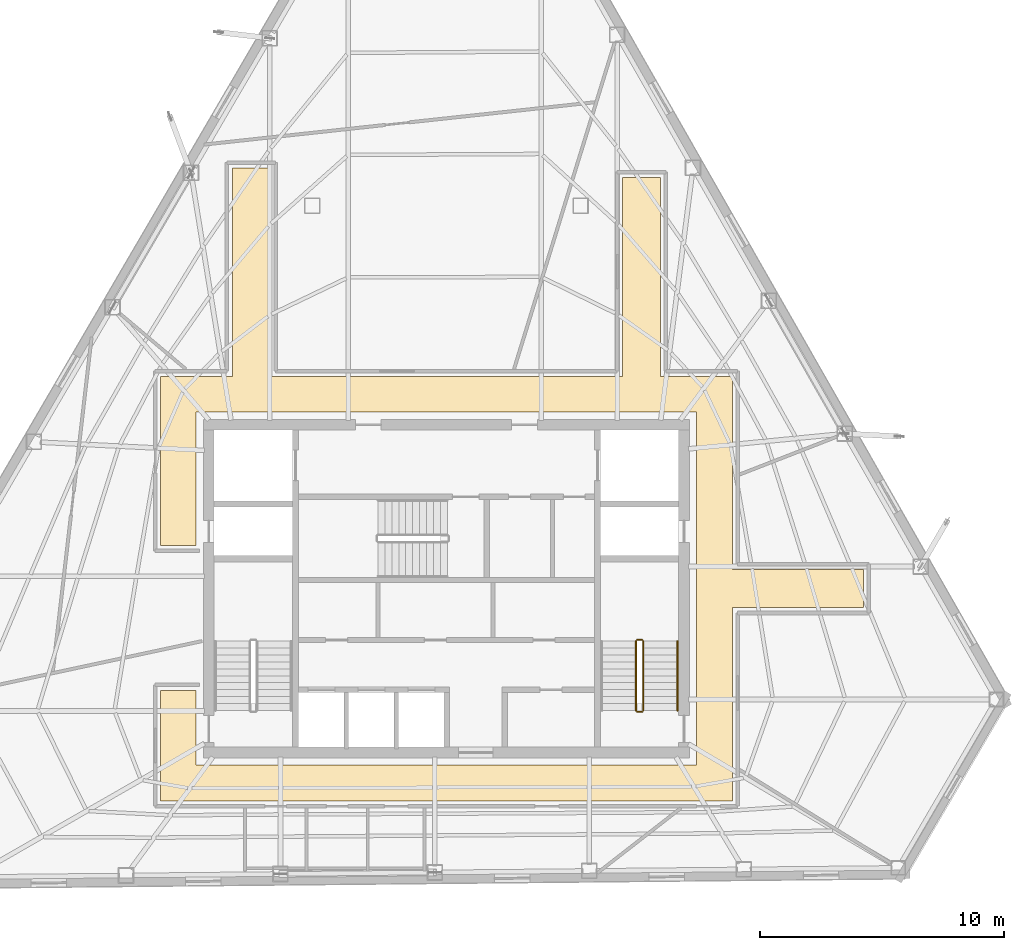
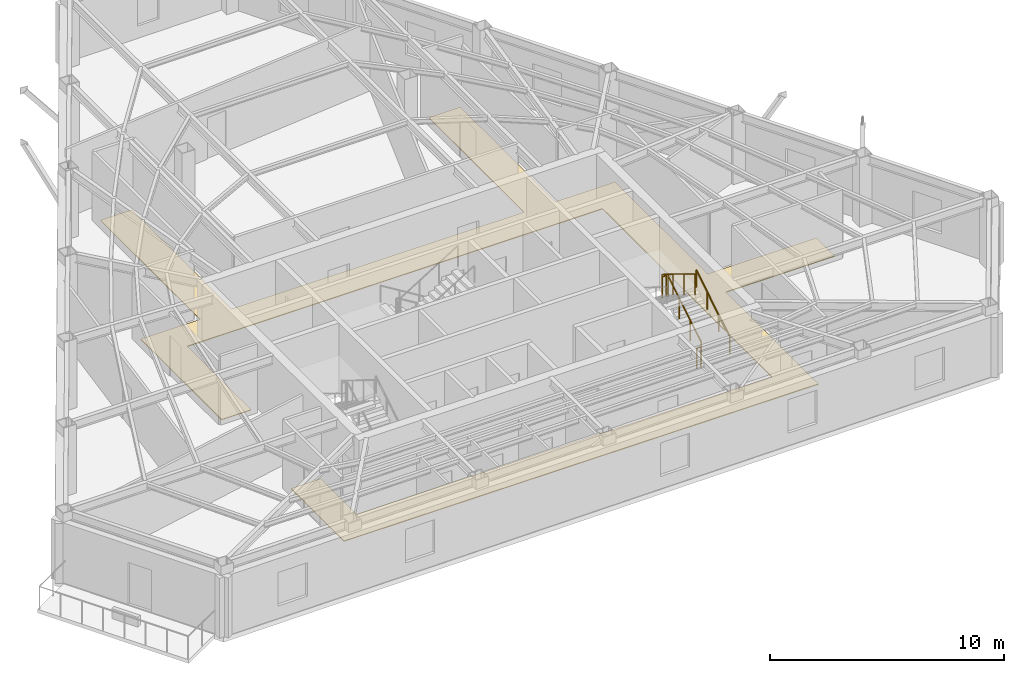
# One storey, part 11 of 11: 5 railings, 1 covering.
"""IFC4 building model written with IfcOpenShell, lengths in metres."""

from ifc_helpers import new_model, si_unit, direction, frame, origin, origin_2d, place, context, subcontext, project, spatial, polyline, circle, outline, extrude, material, layer, layer_set, type_object, element, save


model = new_model("IFC4")

# Units and contexts
model_context = context("Model", 3, precision=1e-05, world=origin(), true_north=direction((0.0, 1.0)))
body_context = subcontext(model_context, "Body", "Model", "MODEL_VIEW")
ifc_project = project(units=[si_unit("LENGTHUNIT", "METRE"), si_unit("AREAUNIT", "SQUARE_METRE"), si_unit("VOLUMEUNIT", "CUBIC_METRE"), si_unit("PLANEANGLEUNIT", "RADIAN"), si_unit("MASSUNIT", "GRAM", prefix="KILO")], contexts=[model_context])

# Site, building, storey
site_placement = place(None, origin())
site = spatial("IfcSite", under=ifc_project, at=site_placement, CompositionType="ELEMENT")
building_placement = place(site_placement, origin())
building = spatial("IfcBuilding", under=site, at=building_placement, Name="Kavelnor Concourse Tower", CompositionType="ELEMENT")
storey_placement = place(building_placement, frame((0.0, 0.0, 218.89990234375)))
storey = spatial("IfcBuildingStorey", under=building, at=storey_placement, Name="L55", CompositionType="ELEMENT", Elevation=218.89990234375)

# Covering
ifc_material_1 = material(Name="Honed bluestone and raised access floor finish", Category="masonry")
ifc_layer = layer(ifc_material_1, 0.0400390625, Name="Honed bluestone and raised access floor finish")
ifc_layer_set = layer_set([ifc_layer], Name="Honed bluestone and raised access floor finish")
covering_type = type_object("IfcCoveringType", Name="COV-FLOOR-STONE", PredefinedType="FLOORING", material=ifc_layer_set)
covering_placement = place(storey_placement, frame((0.0, 0.0, 0.002197265625)))
element("IfcCovering", 1, at=covering_placement, inside=storey, type_object=covering_type, Name="L55 Honed Bluestone Floor Finish", PredefinedType="FLOORING", context=body_context, shape_type="SweptSolid", body=[
    extrude(outline(polyline([(29.219970703125, 24.800048828125), (29.219970703125, 33.341552734375), (30.780029296875, 33.341552734375), (30.780029296875, 24.800048828125), (45.219970703125, 24.800048828125), (45.219970703125, 32.95361328125), (46.780029296875, 32.95361328125), (46.780029296875, 24.800048828125), (49.719970703125, 24.800048828125), (49.719970703125, 16.8798828125), (55.09521484375, 16.8798828125), (55.09521484375, 15.320068359375), (49.719970703125, 15.320068359375), (49.719970703125, 7.39990234375), (26.280029296875, 7.39990234375), (26.280029296875, 11.929931640625), (27.739990234375, 11.929931640625), (27.739990234375, 8.860107421875), (48.260009765625, 8.860107421875), (48.260009765625, 23.340087890625), (27.739990234375, 23.340087890625), (27.739990234375, 17.8701171875), (26.280029296875, 17.8701171875), (26.280029296875, 24.800048828125), (29.219970703125, 24.800048828125)])), origin(), (0.0, 0.0, 1.0), 0.039794921875),
])

# Railings
ifc_material_2 = material(Name="Steel Grade 350", Category="steel")
railing_type_1 = type_object("IfcRailingType", Name="RLG-GUARD-1100", PredefinedType="GUARDRAIL", material=ifc_material_2)
railing_1_placement = place(storey_placement, frame((46.070068359375, 11.10009765625, 0.175048828125)))
element("IfcRailing", 2, at=railing_1_placement, inside=storey, type_object=railing_type_1, Name="L55 ST2 stair guard 1", PredefinedType="GUARDRAIL", context=body_context, shape_type="SweptSolid", body=[
    extrude(circle(Radius=0.02392578125, at=origin_2d()), frame((0.0, 0.0, 1.076171875), z_axis=(0.0, 0.852159232446, 0.523282564737), x_axis=(-1.0, 0.0, 0.0)), (0.0, 0.0, 1.0), 3.34423828125),
    extrude(circle(Radius=0.02099609375, at=origin_2d()), origin(), (0.0, 0.0, 1.0), 1.052001953125),
    extrude(circle(Radius=0.02099609375, at=origin_2d()), frame((0.0, 0.949951171875, 0.583251953125)), (0.0, 0.0, 1.0), 1.052001953125),
    extrude(circle(Radius=0.02099609375, at=origin_2d()), frame((0.0, 1.89990234375, 1.166748046875)), (0.0, 0.0, 1.0), 1.052001953125),
    extrude(circle(Radius=0.02099609375, at=origin_2d()), frame((0.0, 2.849853515625, 1.75)), (0.0, 0.0, 1.0), 1.052001953125),
])
railing_2_placement = place(storey_placement, frame((46.02001953125, 14.0, 1.925048828125)))
element("IfcRailing", 3, at=railing_2_placement, inside=storey, type_object=railing_type_1, Name="L55 ST2 stair guard 2", PredefinedType="GUARDRAIL", context=body_context, shape_type="SweptSolid", body=[
    extrude(circle(Radius=0.02392578125, at=origin_2d()), frame((0.0, 0.0, 1.076171875), z_axis=(-1.0, 0.0, 0.0), x_axis=(0.0, -1.0, 0.0)), (0.0, 0.0, 1.0), 0.199951171875),
    extrude(circle(Radius=0.02099609375, at=origin_2d()), origin(), (0.0, 0.0, 1.0), 1.052001953125),
    extrude(circle(Radius=0.02099609375, at=origin_2d()), frame((-0.199951171875, 0.0, 0.0)), (0.0, 0.0, 1.0), 1.052001953125),
])
railing_3_placement = place(storey_placement, frame((45.77001953125, 13.949951171875, 2.10009765625)))
element("IfcRailing", 4, at=railing_3_placement, inside=storey, type_object=railing_type_1, Name="L55 ST2 stair guard 3", PredefinedType="GUARDRAIL", context=body_context, shape_type="SweptSolid", body=[
    extrude(circle(Radius=0.02392578125, at=origin_2d()), frame((0.0, 0.0, 1.076171875), z_axis=(0.0, -0.852159232446, 0.523282564737), x_axis=(1.0, 0.0, 0.0)), (0.0, 0.0, 1.0), 3.34423828125),
    extrude(circle(Radius=0.02099609375, at=origin_2d()), origin(), (0.0, 0.0, 1.0), 1.052001953125),
    extrude(circle(Radius=0.02099609375, at=origin_2d()), frame((0.0, -0.949951171875, 0.583251953125)), (0.0, 0.0, 1.0), 1.052001953125),
    extrude(circle(Radius=0.02099609375, at=origin_2d()), frame((0.0, -1.89990234375, 1.166748046875)), (0.0, 0.0, 1.0), 1.052001953125),
    extrude(circle(Radius=0.02099609375, at=origin_2d()), frame((0.0, -2.849853515625, 1.75)), (0.0, 0.0, 1.0), 1.052001953125),
])
railing_4_placement = place(storey_placement, frame((46.02001953125, 11.050048828125, 0.0)))
element("IfcRailing", 5, at=railing_4_placement, inside=storey, type_object=railing_type_1, Name="L55 ST2 stair guard 4", PredefinedType="GUARDRAIL", context=body_context, shape_type="SweptSolid", body=[
    extrude(circle(Radius=0.02392578125, at=origin_2d()), frame((0.0, 0.0, 1.076171875), z_axis=(-1.0, 0.0, 0.0), x_axis=(0.0, -1.0, 0.0)), (0.0, 0.0, 1.0), 0.199951171875),
    extrude(circle(Radius=0.02099609375, at=origin_2d()), origin(), (0.0, 0.0, 1.0), 1.052001953125),
    extrude(circle(Radius=0.02099609375, at=origin_2d()), frame((-0.199951171875, 0.0, 0.0)), (0.0, 0.0, 1.0), 1.052001953125),
])
railing_type_2 = type_object("IfcRailingType", Name="RLG-HANDRAIL-900", PredefinedType="HANDRAIL", material=ifc_material_2)
railing_5_placement = place(storey_placement, frame((47.469970703125, 11.10009765625, 0.175048828125)))
element("IfcRailing", 6, at=railing_5_placement, inside=storey, type_object=railing_type_2, Name="L55 ST2 stair handrail 1", PredefinedType="HANDRAIL", context=body_context, shape_type="SweptSolid", body=[
    extrude(circle(Radius=0.02392578125, at=origin_2d()), frame((0.0, 0.0, 0.8759765625), z_axis=(0.0, 0.852159232446, 0.523282564737), x_axis=(-1.0, 0.0, 0.0)), (0.0, 0.0, 1.0), 3.34423828125),
    extrude(circle(Radius=0.02099609375, at=origin_2d()), origin(), (0.0, 0.0, 1.0), 0.851806640625),
    extrude(circle(Radius=0.02099609375, at=origin_2d()), frame((0.0, 0.949951171875, 0.583251953125)), (0.0, 0.0, 1.0), 0.851806640625),
    extrude(circle(Radius=0.02099609375, at=origin_2d()), frame((0.0, 1.89990234375, 1.166748046875)), (0.0, 0.0, 1.0), 0.851806640625),
    extrude(circle(Radius=0.02099609375, at=origin_2d()), frame((0.0, 2.849853515625, 1.75)), (0.0, 0.0, 1.0), 0.851806640625),
])

save(model, "model.ifc")
